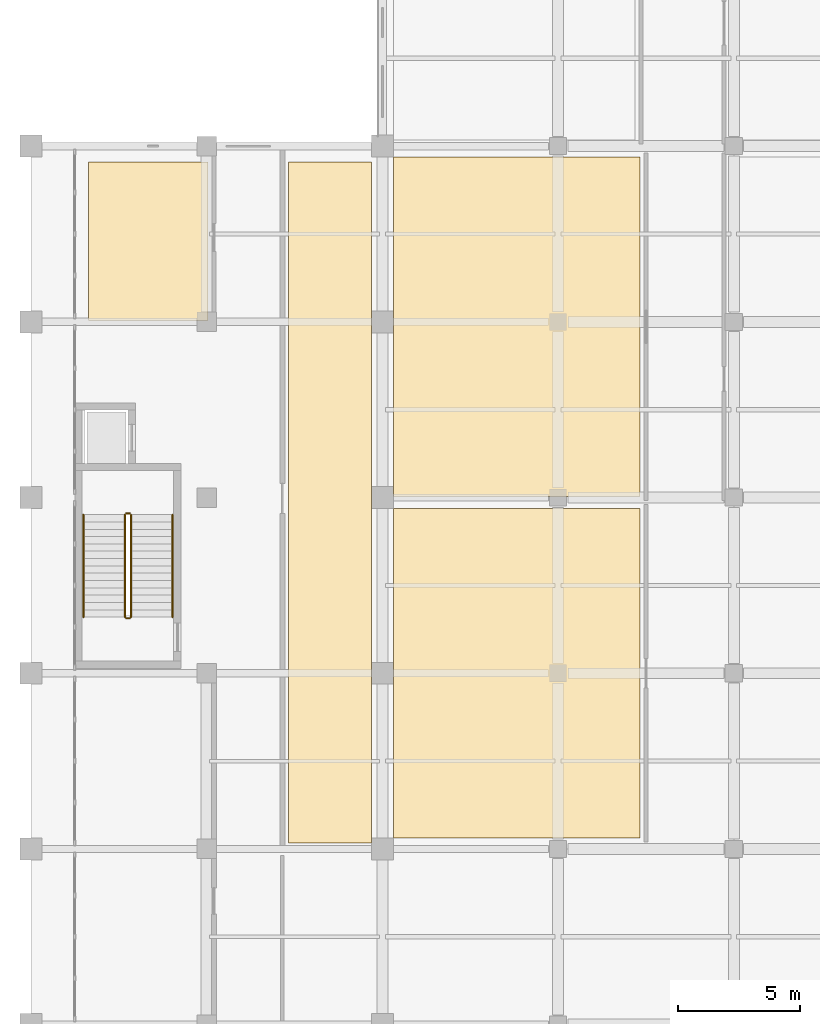
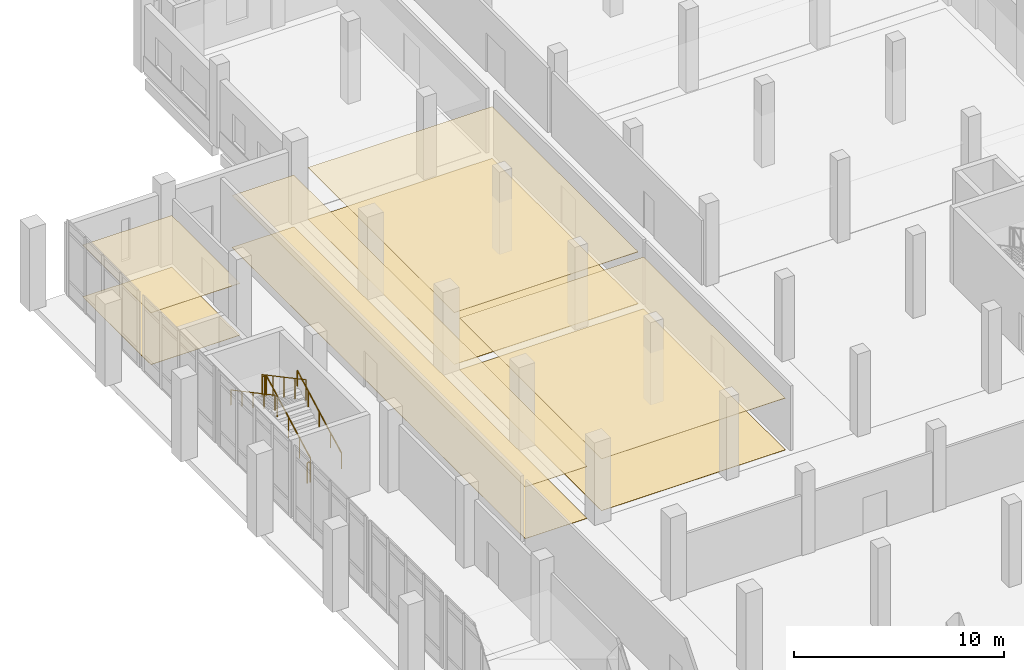
# One storey, part 51 of 59: 8 coverings, 6 railings.
"""IFC4 building model written with IfcOpenShell, lengths in metres."""

from ifc_helpers import new_model, si_unit, direction, frame, origin, origin_2d, place, context, subcontext, project, spatial, polyline, circle, outline, extrude, material, layer, layer_set, type_object, element, save


model = new_model("IFC4")

# Units and contexts
model_context = context("Model", 3, precision=1e-05, world=origin(), true_north=direction((0.0, 1.0)))
body_context = subcontext(model_context, "Body", "Model", "MODEL_VIEW")
ifc_project = project(units=[si_unit("LENGTHUNIT", "METRE"), si_unit("AREAUNIT", "SQUARE_METRE"), si_unit("VOLUMEUNIT", "CUBIC_METRE"), si_unit("PLANEANGLEUNIT", "RADIAN"), si_unit("MASSUNIT", "GRAM", prefix="KILO")], contexts=[model_context])

# Site, building, storey
site_placement = place(None, origin())
site = spatial("IfcSite", under=ifc_project, at=site_placement, CompositionType="ELEMENT")
building_placement = place(site_placement, origin())
building = spatial("IfcBuilding", under=site, at=building_placement, Name="Valkovuoma Quantum and Materials Research Institute", CompositionType="ELEMENT")
storey_placement = place(building_placement, origin())
storey = spatial("IfcBuildingStorey", under=building, at=storey_placement, Name="L00", CompositionType="ELEMENT", Elevation=0.0)

# Coverings
ifc_material_1 = material(Name="Cleanable acoustic mineral-fibre suspended ceiling", Category="masonry")
ifc_layer_1 = layer(ifc_material_1, 0.02490234375)
ifc_layer_set_1 = layer_set([ifc_layer_1], Name="Cleanable acoustic mineral-fibre suspended ceiling")
covering_type_1 = type_object("IfcCoveringType", Name="Cov-CEIL-01", PredefinedType="CEILING", material=ifc_layer_set_1)
covering_1_placement = place(storey_placement, frame((0.0, 0.0, 3.0)))
element("IfcCovering", 1, at=covering_1_placement, inside=storey, type_object=covering_type_1, Name="L00 acoustic ceiling 0009", PredefinedType="CEILING", context=body_context, shape_type="SweptSolid", body=[
    extrude(outline(polyline([(2.35009765625, 86.449951171875), (7.25, 86.449951171875), (7.25, 92.949951171875), (2.35009765625, 92.949951171875), (2.35009765625, 86.449951171875)])), origin(), (0.0, 0.0, 1.0), 0.02490234375),
])
covering_2_placement = place(storey_placement, frame((0.0, 0.0, 3.0)))
element("IfcCovering", 2, at=covering_2_placement, inside=storey, type_object=covering_type_1, Name="L00 acoustic ceiling 0010", PredefinedType="CEILING", context=body_context, shape_type="SweptSolid", body=[
    extrude(outline(polyline([(10.550048828125, 65.050048828125), (13.949951171875, 65.050048828125), (13.949951171875, 92.949951171875), (10.550048828125, 92.949951171875), (10.550048828125, 65.050048828125)])), origin(), (0.0, 0.0, 1.0), 0.02490234375),
])
covering_3_placement = place(storey_placement, frame((0.0, 0.0, 3.0)))
element("IfcCovering", 3, at=covering_3_placement, inside=storey, type_object=covering_type_1, Name="L00 acoustic ceiling 0013", PredefinedType="CEILING", context=body_context, shape_type="SweptSolid", body=[
    extrude(outline(polyline([(14.85009765625, 65.25), (24.949951171875, 65.25), (24.949951171875, 78.75), (14.85009765625, 78.75), (14.85009765625, 65.25)])), origin(), (0.0, 0.0, 1.0), 0.02490234375),
])
covering_4_placement = place(storey_placement, frame((0.0, 0.0, 3.0)))
element("IfcCovering", 4, at=covering_4_placement, inside=storey, type_object=covering_type_1, Name="L00 acoustic ceiling 0014", PredefinedType="CEILING", context=body_context, shape_type="SweptSolid", body=[
    extrude(outline(polyline([(14.85009765625, 79.25), (24.949951171875, 79.25), (24.949951171875, 93.14990234375), (14.85009765625, 93.14990234375), (14.85009765625, 79.25)])), origin(), (0.0, 0.0, 1.0), 0.02490234375),
])
ifc_material_2 = material(Name="Seamless dissipative laboratory resin flooring", Category="masonry")
ifc_layer_2 = layer(ifc_material_2, 0.014892578125)
ifc_layer_set_2 = layer_set([ifc_layer_2], Name="Seamless dissipative laboratory resin flooring")
covering_type_2 = type_object("IfcCoveringType", Name="Cov-FLOR-01", PredefinedType="FLOORING", material=ifc_layer_set_2)
covering_5_placement = place(storey_placement, origin())
element("IfcCovering", 5, at=covering_5_placement, inside=storey, type_object=covering_type_2, Name="L00 resin flooring 0009", PredefinedType="FLOORING", context=body_context, shape_type="SweptSolid", body=[
    extrude(outline(polyline([(2.35009765625, 86.449951171875), (7.25, 86.449951171875), (7.25, 92.949951171875), (2.35009765625, 92.949951171875), (2.35009765625, 86.449951171875)])), origin(), (0.0, 0.0, 1.0), 0.014892578125),
])
covering_6_placement = place(storey_placement, origin())
element("IfcCovering", 6, at=covering_6_placement, inside=storey, type_object=covering_type_2, Name="L00 resin flooring 0010", PredefinedType="FLOORING", context=body_context, shape_type="SweptSolid", body=[
    extrude(outline(polyline([(10.550048828125, 65.050048828125), (13.949951171875, 65.050048828125), (13.949951171875, 92.949951171875), (10.550048828125, 92.949951171875), (10.550048828125, 65.050048828125)])), origin(), (0.0, 0.0, 1.0), 0.014892578125),
])
covering_7_placement = place(storey_placement, origin())
element("IfcCovering", 7, at=covering_7_placement, inside=storey, type_object=covering_type_2, Name="L00 resin flooring 0013", PredefinedType="FLOORING", context=body_context, shape_type="SweptSolid", body=[
    extrude(outline(polyline([(14.85009765625, 65.25), (24.949951171875, 65.25), (24.949951171875, 78.75), (14.85009765625, 78.75), (14.85009765625, 65.25)])), origin(), (0.0, 0.0, 1.0), 0.014892578125),
])
covering_8_placement = place(storey_placement, origin())
element("IfcCovering", 8, at=covering_8_placement, inside=storey, type_object=covering_type_2, Name="L00 resin flooring 0014", PredefinedType="FLOORING", context=body_context, shape_type="SweptSolid", body=[
    extrude(outline(polyline([(14.85009765625, 79.25), (24.949951171875, 79.25), (24.949951171875, 93.14990234375), (14.85009765625, 93.14990234375), (14.85009765625, 79.25)])), origin(), (0.0, 0.0, 1.0), 0.014892578125),
])

# Railings
ifc_material_3 = material(Name="Painted steel stair balustrade", Category="steel")
railing_type_1 = type_object("IfcRailingType", Name="Rail-GRD-ST", PredefinedType="BALUSTRADE", material=ifc_material_3)
railing_1_placement = place(storey_placement, frame((4.10009765625, 74.300048828125, 0.159912109375)))
element("IfcRailing", 9, at=railing_1_placement, inside=storey, type_object=railing_type_1, Name="L00 ST-2 stair guard 1", PredefinedType="BALUSTRADE", context=body_context, shape_type="SweptSolid", body=[
    extrude(circle(Radius=0.02392578125, at=origin_2d()), frame((0.0, 0.0, 1.17578125), z_axis=(0.0, 0.882351521365, 0.470590897432), x_axis=(-1.0, 0.0, 0.0)), (0.0, 0.0, 1.0), 4.760009765625),
    extrude(circle(Radius=0.02099609375, at=origin_2d()), origin(), (0.0, 0.0, 1.0), 1.15185546875),
    extrude(circle(Radius=0.02099609375, at=origin_2d()), frame((0.0, 1.050048828125, 0.56005859375)), (0.0, 0.0, 1.0), 1.15185546875),
    extrude(circle(Radius=0.02099609375, at=origin_2d()), frame((0.0, 2.10009765625, 1.1201171875)), (0.0, 0.0, 1.0), 1.15185546875),
    extrude(circle(Radius=0.02099609375, at=origin_2d()), frame((0.0, 3.14990234375, 1.679931640625)), (0.0, 0.0, 1.0), 1.15185546875),
    extrude(circle(Radius=0.02099609375, at=origin_2d()), frame((0.0, 4.199951171875, 2.239990234375)), (0.0, 0.0, 1.0), 1.15185546875),
])
railing_2_placement = place(storey_placement, frame((4.050048828125, 78.550048828125, 2.39990234375)))
element("IfcRailing", 10, at=railing_2_placement, inside=storey, type_object=railing_type_1, Name="L00 ST-2 stair guard 2", PredefinedType="BALUSTRADE", context=body_context, shape_type="SweptSolid", body=[
    extrude(circle(Radius=0.02392578125, at=origin_2d()), frame((0.0, 0.0, 1.17578125), z_axis=(-1.0, 0.0, 0.0), x_axis=(0.0, -1.0, 0.0)), (0.0, 0.0, 1.0), 0.150146484375),
    extrude(circle(Radius=0.02099609375, at=origin_2d()), origin(), (0.0, 0.0, 1.0), 1.15185546875),
    extrude(circle(Radius=0.02099609375, at=origin_2d()), frame((-0.150146484375, 0.0, 0.0)), (0.0, 0.0, 1.0), 1.15185546875),
])
railing_3_placement = place(storey_placement, frame((3.85009765625, 78.5, 2.56005859375)))
element("IfcRailing", 11, at=railing_3_placement, inside=storey, type_object=railing_type_1, Name="L00 ST-2 stair guard 3", PredefinedType="BALUSTRADE", context=body_context, shape_type="SweptSolid", body=[
    extrude(circle(Radius=0.02392578125, at=origin_2d()), frame((0.0, 0.0, 1.17578125), z_axis=(0.0, -0.882351521365, 0.470590897432), x_axis=(1.0, 0.0, 0.0)), (0.0, 0.0, 1.0), 4.760009765625),
    extrude(circle(Radius=0.02099609375, at=origin_2d()), origin(), (0.0, 0.0, 1.0), 1.15185546875),
    extrude(circle(Radius=0.02099609375, at=origin_2d()), frame((0.0, -1.050048828125, 0.56005859375)), (0.0, 0.0, 1.0), 1.15185546875),
    extrude(circle(Radius=0.02099609375, at=origin_2d()), frame((0.0, -2.10009765625, 1.1201171875)), (0.0, 0.0, 1.0), 1.15185546875),
    extrude(circle(Radius=0.02099609375, at=origin_2d()), frame((0.0, -3.14990234375, 1.679931640625)), (0.0, 0.0, 1.0), 1.15185546875),
    extrude(circle(Radius=0.02099609375, at=origin_2d()), frame((0.0, -4.199951171875, 2.239990234375)), (0.0, 0.0, 1.0), 1.15185546875),
])
railing_4_placement = place(storey_placement, frame((4.050048828125, 74.25, 0.0)))
element("IfcRailing", 12, at=railing_4_placement, inside=storey, type_object=railing_type_1, Name="L00 ST-2 stair guard 4", PredefinedType="BALUSTRADE", context=body_context, shape_type="SweptSolid", body=[
    extrude(circle(Radius=0.02392578125, at=origin_2d()), frame((0.0, 0.0, 1.17578125), z_axis=(-1.0, 0.0, 0.0), x_axis=(0.0, -1.0, 0.0)), (0.0, 0.0, 1.0), 0.150146484375),
    extrude(circle(Radius=0.02099609375, at=origin_2d()), origin(), (0.0, 0.0, 1.0), 1.15185546875),
    extrude(circle(Radius=0.02099609375, at=origin_2d()), frame((-0.150146484375, 0.0, 0.0)), (0.0, 0.0, 1.0), 1.15185546875),
])
ifc_material_4 = material(Name="Brushed stainless steel handrail", Category="steel")
railing_type_2 = type_object("IfcRailingType", Name="Rail-HR-ST", PredefinedType="HANDRAIL", material=ifc_material_4)
railing_5_placement = place(storey_placement, frame((5.800048828125, 74.300048828125, 0.159912109375)))
element("IfcRailing", 13, at=railing_5_placement, inside=storey, type_object=railing_type_2, Name="L00 ST-2 stair handrail 1", PredefinedType="HANDRAIL", context=body_context, shape_type="SweptSolid", body=[
    extrude(circle(Radius=0.02392578125, at=origin_2d()), frame((0.0, 0.0, 0.8759765625), z_axis=(0.0, 0.882351521365, 0.470590897432), x_axis=(-1.0, 0.0, 0.0)), (0.0, 0.0, 1.0), 4.760009765625),
    extrude(circle(Radius=0.02099609375, at=origin_2d()), origin(), (0.0, 0.0, 1.0), 0.851806640625),
    extrude(circle(Radius=0.02099609375, at=origin_2d()), frame((0.0, 1.050048828125, 0.56005859375)), (0.0, 0.0, 1.0), 0.851806640625),
    extrude(circle(Radius=0.02099609375, at=origin_2d()), frame((0.0, 2.10009765625, 1.1201171875)), (0.0, 0.0, 1.0), 0.851806640625),
    extrude(circle(Radius=0.02099609375, at=origin_2d()), frame((0.0, 3.14990234375, 1.679931640625)), (0.0, 0.0, 1.0), 0.851806640625),
    extrude(circle(Radius=0.02099609375, at=origin_2d()), frame((0.0, 4.199951171875, 2.239990234375)), (0.0, 0.0, 1.0), 0.851806640625),
])
railing_6_placement = place(storey_placement, frame((2.14990234375, 78.5, 2.56005859375)))
element("IfcRailing", 14, at=railing_6_placement, inside=storey, type_object=railing_type_2, Name="L00 ST-2 stair handrail 2", PredefinedType="HANDRAIL", context=body_context, shape_type="SweptSolid", body=[
    extrude(circle(Radius=0.02392578125, at=origin_2d()), frame((0.0, 0.0, 0.8759765625), z_axis=(0.0, -0.882351521365, 0.470590897432), x_axis=(1.0, 0.0, 0.0)), (0.0, 0.0, 1.0), 4.760009765625),
    extrude(circle(Radius=0.02099609375, at=origin_2d()), origin(), (0.0, 0.0, 1.0), 0.851806640625),
    extrude(circle(Radius=0.02099609375, at=origin_2d()), frame((0.0, -1.050048828125, 0.56005859375)), (0.0, 0.0, 1.0), 0.851806640625),
    extrude(circle(Radius=0.02099609375, at=origin_2d()), frame((0.0, -2.10009765625, 1.1201171875)), (0.0, 0.0, 1.0), 0.851806640625),
    extrude(circle(Radius=0.02099609375, at=origin_2d()), frame((0.0, -3.14990234375, 1.679931640625)), (0.0, 0.0, 1.0), 0.851806640625),
    extrude(circle(Radius=0.02099609375, at=origin_2d()), frame((0.0, -4.199951171875, 2.239990234375)), (0.0, 0.0, 1.0), 0.851806640625),
])

save(model, "model.ifc")
